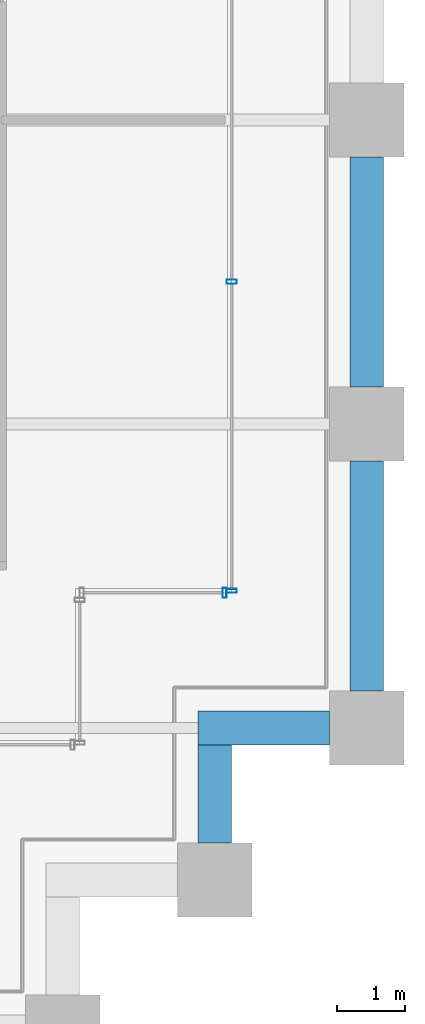
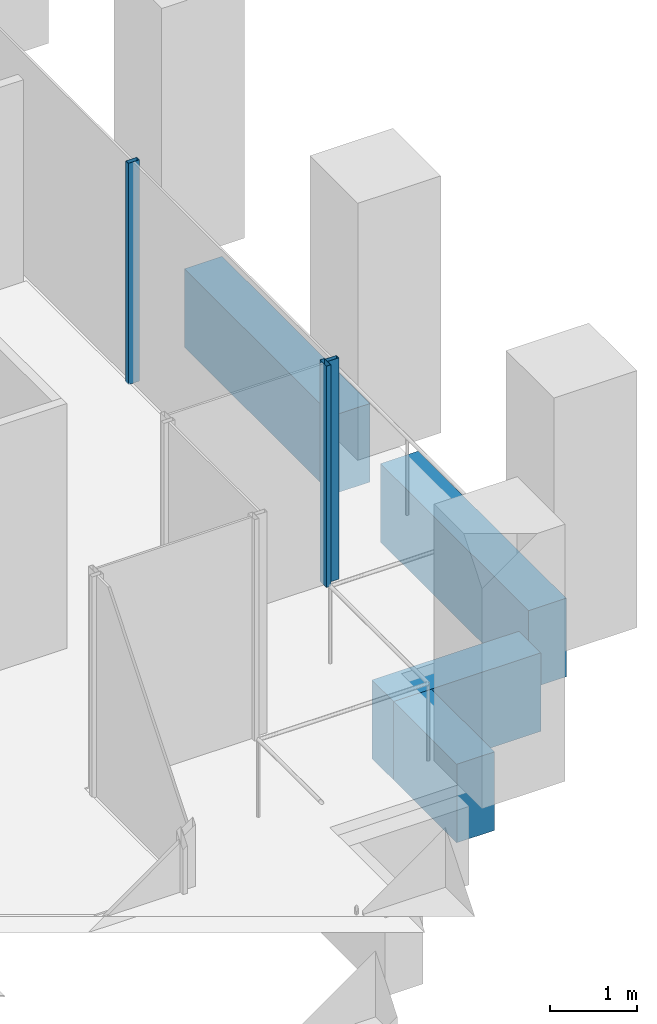
# One storey, part 46 of 56: 4 beams, 3 members, 2 elements without a shape of their own.
"""IFC4 building model written with IfcOpenShell, lengths in metres."""

import ifcopenshell
import ifcopenshell.guid

model = None  # the IFC model being written
_history = None  # IfcOwnerHistory: only IFC2X3 demands one
_inside = {}  # id of a spatial element -> (the spatial element, [elements in it])
_under = {}  # id of a project, library or spatial element -> (it, [spatial elements below it])
_declared = {}  # id of a project -> (the project, [libraries it declares])
_typed = {}  # id of a type object -> (the type object, [elements of that type])
_made_of = {}  # id of a material, layer set ... -> (it, [elements and type objects made of it])


def new_model(schema):
    """Start an empty IFC model of exactly this schema.

    Asked for "IFC4X3", IfcOpenShell would pick the latest addendum, in which some entities
    have other attributes; the version numbers below select the first issue.
    IFC2X3 requires an IfcOwnerHistory on every rooted entity: one is made here for all.
    """
    global model, _history
    if schema == "IFC4X3":
        model = ifcopenshell.file(schema_version=(4, 3, 0, 0))
    else:
        model = ifcopenshell.file(schema=schema)
    _inside.clear()
    _under.clear()
    _declared.clear()
    _typed.clear()
    _made_of.clear()
    _history = None
    if model.schema == "IFC2X3":
        org = make("IfcOrganization", Name="unknown")
        user = make(
            "IfcPersonAndOrganization",
            ThePerson=make("IfcPerson", FamilyName="unknown"),
            TheOrganization=org,
        )
        app = make(
            "IfcApplication",
            ApplicationDeveloper=org,
            Version="unknown",
            ApplicationFullName="unknown",
            ApplicationIdentifier="unknown",
        )
        _history = make(
            "IfcOwnerHistory",
            OwningUser=user,
            OwningApplication=app,
            ChangeAction="ADDED",
            CreationDate=0,
        )
    return model


def make(cls, **values):
    """One entity of the class cls with the attributes given. An attribute that is None is left unset."""
    return model.create_entity(
        cls, **{name: value for name, value in values.items() if value is not None}
    )


def rooted(cls, **values):
    """An entity with a GlobalId (a new one), such as an element, a storey or a relation."""
    return make(cls, GlobalId=ifcopenshell.guid.new(), OwnerHistory=_history, **values)


def si_unit(unit_type, name, prefix=None):
    """IfcSIUnit, for example si_unit("LENGTHUNIT", "METRE", prefix="MILLI")."""
    return make("IfcSIUnit", UnitType=unit_type, Prefix=prefix, Name=name)


def assignment(units):
    """IfcUnitAssignment: the units of a project."""
    return None if units is None else make("IfcUnitAssignment", Units=units)


def point(xyz):
    """IfcCartesianPoint."""
    return None if xyz is None else make("IfcCartesianPoint", Coordinates=xyz)


def direction(xyz):
    """IfcDirection."""
    return None if xyz is None else make("IfcDirection", DirectionRatios=xyz)


def frame(location, z_axis=None, x_axis=None):
    """IfcAxis2Placement3D, a coordinate frame: its origin and axes. An axis left out is left unset."""
    return make(
        "IfcAxis2Placement3D",
        Location=point(location),
        Axis=direction(z_axis),
        RefDirection=direction(x_axis),
    )


def frame_2d(location, x_axis=None):
    """IfcAxis2Placement2D, a coordinate frame in the plane: its origin and x axis."""
    return make(
        "IfcAxis2Placement2D", Location=point(location), RefDirection=direction(x_axis)
    )


def origin():
    """The frame at (0, 0, 0) with its axes left unset."""
    return frame((0.0, 0.0, 0.0))


def origin_2d():
    """The frame at (0, 0) in the plane with its x axis left unset."""
    return frame_2d((0.0, 0.0))


def place(relative_to, where):
    """IfcLocalPlacement: puts the frame where relative to a parent placement (None: the world)."""
    return make(
        "IfcLocalPlacement", PlacementRelTo=relative_to, RelativePlacement=where
    )


def context(
    kind, dimensions, precision=None, world=None, true_north=None, identifier=None
):
    """IfcGeometricRepresentationContext, for example the 3D "Model" context."""
    return make(
        "IfcGeometricRepresentationContext",
        ContextIdentifier=identifier,
        ContextType=kind,
        CoordinateSpaceDimension=dimensions,
        Precision=precision,
        WorldCoordinateSystem=world,
        TrueNorth=true_north,
    )


def subcontext(parent, identifier, kind, view, scale=None):
    """IfcGeometricRepresentationSubContext, for example "Body" below "Model"."""
    return make(
        "IfcGeometricRepresentationSubContext",
        ContextIdentifier=identifier,
        ContextType=kind,
        ParentContext=parent,
        TargetScale=scale,
        TargetView=view,
    )


def project(units=None, contexts=None):
    """IfcProject with its units and contexts."""
    return rooted(
        "IfcProject",
        Name="project",
        RepresentationContexts=contexts,
        UnitsInContext=assignment(units),
    )


def spatial(cls, under=None, at=None, **own):
    """A site, building, storey or space (cls), placed at a placement, below another one or the project."""
    s = rooted(cls, ObjectPlacement=at, **own)
    if under is not None:
        _under.setdefault(under.id(), (under, []))[1].append(s)
    return s


def profile(cls, at=None, kind="AREA", **sizes):
    """A parametric profile (cls). Its sizes go by their IFC names, for example OverallWidth=200.0."""
    return make(cls, ProfileType=kind, Position=at, **sizes)


def rectangle(**sizes):
    """IfcRectangleProfileDef."""
    return profile("IfcRectangleProfileDef", **sizes)


def hollow_rectangle(**sizes):
    """IfcRectangleHollowProfileDef."""
    return profile("IfcRectangleHollowProfileDef", **sizes)


def extrude(swept, where, along, depth):
    """IfcExtrudedAreaSolid: the profile swept, set in the frame where, extruded along a direction by depth."""
    return make(
        "IfcExtrudedAreaSolid",
        SweptArea=swept,
        Position=where,
        ExtrudedDirection=direction(along),
        Depth=depth,
    )


def shape(context_of_items, identifier, shape_type, items):
    """IfcShapeRepresentation: the items that make up one representation, for example the "Body"."""
    return make(
        "IfcShapeRepresentation",
        ContextOfItems=context_of_items,
        RepresentationIdentifier=identifier,
        RepresentationType=shape_type,
        Items=items,
    )


def material(Name=None, Category=None):
    """IfcMaterial."""
    return make("IfcMaterial", Name=Name, Category=Category)


def material_profile(
    of_material, cross_section, Name=None, Category=None, Priority=None
):
    """IfcMaterialProfile: a cross section and its material."""
    return make(
        "IfcMaterialProfile",
        Name=Name,
        Material=of_material,
        Profile=cross_section,
        Priority=Priority,
        Category=Category,
    )


def profile_set(profiles, Name=None, composite=None):
    """IfcMaterialProfileSet."""
    return make(
        "IfcMaterialProfileSet",
        Name=Name,
        MaterialProfiles=profiles,
        CompositeProfile=composite,
    )


def made_of(thing, what):
    """Note that an element or type object is made of a material, layer set ...; save() writes the relation."""
    if what is not None:
        _made_of.setdefault(what.id(), (what, []))[1].append(thing)
    return thing


def type_object(cls, material=None, **own):
    """A type object (cls), such as IfcWallType, which elements share."""
    return made_of(rooted(cls, **own), material)


def element(
    cls,
    number,
    at=None,
    inside=None,
    cuts=None,
    type_object=None,
    material=None,
    context=None,
    identifier="Body",
    shape_type=None,
    held_by="IfcProductDefinitionShape",
    body=None,
    shapes=None,
    **own,
):
    """One element of the class cls, such as IfcWall. Its Tag is "e" and its number.

    at: its placement. inside: the storey or other place that contains it. cuts: it is an
    opening in that element (IfcRelVoidsElement). A single representation is given by context,
    identifier, shape_type and body (its items); several are given by shapes. held_by: the class
    of the entity that holds the representations. save() writes the other relations.
    """
    e = rooted(cls, Tag="e%d" % number, ObjectPlacement=at, **own)
    if body is not None:
        shapes = [shape(context, identifier, shape_type, body)]
    if shapes is not None:
        e.Representation = make(held_by, Representations=shapes)
    if inside is not None:
        _inside.setdefault(inside.id(), (inside, []))[1].append(e)
    if cuts is not None:
        rooted(
            "IfcRelVoidsElement", RelatingBuildingElement=cuts, RelatedOpeningElement=e
        )
    if type_object is not None:
        _typed.setdefault(type_object.id(), (type_object, []))[1].append(e)
    return made_of(e, material)


def aggregate(whole, parts):
    """IfcRelAggregates: a whole, such as a stair, and the parts it consists of."""
    return rooted("IfcRelAggregates", RelatingObject=whole, RelatedObjects=parts)


def save(model, path):
    """Write the relations noted so far, then the file.

    IfcRelAggregates (storeys below a building ...), IfcRelContainedInSpatialStructure (elements
    in a storey), IfcRelDefinesByType, IfcRelAssociatesMaterial and IfcRelDeclares: one each for
    every whole, place, type object, material and project.
    """
    for whole, parts in _under.values():
        aggregate(whole, parts)
    for where, things in _inside.values():
        rooted(
            "IfcRelContainedInSpatialStructure",
            RelatedElements=things,
            RelatingStructure=where,
        )
    for kind, things in _typed.values():
        rooted("IfcRelDefinesByType", RelatedObjects=things, RelatingType=kind)
    for what, things in _made_of.values():
        rooted("IfcRelAssociatesMaterial", RelatedObjects=things, RelatingMaterial=what)
    for by, libraries in _declared.values():
        rooted("IfcRelDeclares", RelatingContext=by, RelatedDefinitions=libraries)
    model.write(path)


model = new_model("IFC4")

# Units and contexts
model_context = context("Model", 3, precision=1e-05, world=origin(), true_north=direction((0.0, 1.0)))
body_context = subcontext(model_context, "Body", "Model", "MODEL_VIEW")
ifc_project = project(units=[si_unit("LENGTHUNIT", "METRE"), si_unit("AREAUNIT", "SQUARE_METRE"), si_unit("VOLUMEUNIT", "CUBIC_METRE"), si_unit("PLANEANGLEUNIT", "RADIAN"), si_unit("MASSUNIT", "GRAM", prefix="KILO")], contexts=[model_context])

# Site, building, storey
site_placement = place(None, origin())
site = spatial("IfcSite", under=ifc_project, at=site_placement, CompositionType="ELEMENT")
building_placement = place(site_placement, origin())
building = spatial("IfcBuilding", under=site, at=building_placement, Name="Altepetl Exchange Towers", CompositionType="ELEMENT")
storey_placement = place(building_placement, frame((0.0, 0.0, 72.60009765625)))
storey = spatial("IfcBuildingStorey", under=building, at=storey_placement, Name="L17", CompositionType="ELEMENT", Elevation=72.60009765625)

# Curtain wall, member
ifc_material_1 = material(Name="Aluminium 6063-T6 glazing", Category="aluminium")
curtain_wall_type = type_object("IfcCurtainWallType", Name="Loggia glazing system", PredefinedType="NOTDEFINED", material=ifc_material_1)
curtain_wall_1_placement = place(storey_placement, origin())
curtain_wall_1 = element("IfcCurtainWall", 1, at=curtain_wall_1_placement, inside=storey, type_object=curtain_wall_type, Name="CW1 run", PredefinedType="NOTDEFINED")
ifc_material_2 = material(Name="Aluminium 6063-T6", Category="aluminium")
ifc_material_profile_1 = material_profile(ifc_material_2, hollow_rectangle(XDim=0.06005859375, YDim=0.14990234375, WallThickness=0.0029296875, at=origin_2d()), Name="Mullion 60x150 aluminium")
ifc_profile_set_1 = profile_set([ifc_material_profile_1], Name="Aluminium 6063-T6")
member_type = type_object("IfcMemberType", Name="Mullion 60x150 aluminium", PredefinedType="MULLION", material=ifc_profile_set_1)
member_1_placement = place(storey_placement, frame((123.89501953125, 33.5, 0.0)))
member_1 = element("IfcMember", 2, at=member_1_placement, type_object=member_type, Name="MU1 mullion", PredefinedType="MULLION", context=body_context, shape_type="SweptSolid", body=[
    extrude(hollow_rectangle(XDim=0.06005859375, YDim=0.14990234375, WallThickness=0.0029296875, at=origin_2d()), origin(), (0.0, 0.0, 1.0), 3.099853515625),
])
aggregate(curtain_wall_1, [member_1])

# Curtain wall, members
curtain_wall_2_placement = place(storey_placement, origin())
curtain_wall_2 = element("IfcCurtainWall", 3, at=curtain_wall_2_placement, inside=storey, type_object=curtain_wall_type, Name="CW1 run", PredefinedType="NOTDEFINED")
member_2_placement = place(storey_placement, frame((124.0, 33.530029296875, 0.0), z_axis=(0.0, 0.0, 1.0), x_axis=(0.0, 1.0, 0.0)))
member_2 = element("IfcMember", 4, at=member_2_placement, type_object=member_type, Name="MU1 mullion", PredefinedType="MULLION", context=body_context, shape_type="SweptSolid", body=[
    extrude(hollow_rectangle(XDim=0.06005859375, YDim=0.14990234375, WallThickness=0.0029296875, at=origin_2d()), origin(), (0.0, 0.0, 1.0), 3.099853515625),
])
member_3_placement = place(storey_placement, frame((124.0, 38.106201171875, 0.0), z_axis=(0.0, 0.0, 1.0), x_axis=(0.0, 1.0, 0.0)))
member_3 = element("IfcMember", 5, at=member_3_placement, type_object=member_type, Name="MU1 mullion", PredefinedType="MULLION", context=body_context, shape_type="SweptSolid", body=[
    extrude(hollow_rectangle(XDim=0.06005859375, YDim=0.14990234375, WallThickness=0.0029296875, at=origin_2d()), origin(), (0.0, 0.0, 1.0), 3.099853515625),
])
aggregate(curtain_wall_2, [member_2, member_3])

# Beams
ifc_material_3 = material(Name="Concrete C50/60 precast with cantera blanca facing", Category="concrete")
ifc_material_profile_2 = material_profile(ifc_material_3, rectangle(XDim=0.5, YDim=1.10009765625, at=origin_2d()), Name="500 x 1100")
ifc_profile_set_2 = profile_set([ifc_material_profile_2], Name="Concrete C50/60 precast with cantera blanca facing")
beam_type = type_object("IfcBeamType", Name="Spandrel beam 500x1100 cantera blanca", PredefinedType="SPANDREL", material=ifc_profile_set_2)
beam_1_placement = place(storey_placement, frame((123.75, 29.800048828125, -0.7001953125), z_axis=(0.0, 1.0, 0.0), x_axis=(-1.0, 0.0, 0.0)))
element("IfcBeam", 6, at=beam_1_placement, inside=storey, type_object=beam_type, Name="sp:B:L17:007", PredefinedType="SPANDREL", context=body_context, shape_type="SweptSolid", body=[
    extrude(rectangle(XDim=0.5, YDim=1.10009765625, at=origin_2d()), origin(), (0.0, 0.0, 1.0), 1.449951171875),
])
beam_2_placement = place(storey_placement, frame((123.5, 31.5, -0.7001953125), z_axis=(1.0, 0.0, 0.0), x_axis=(0.0, 1.0, 0.0)))
element("IfcBeam", 7, at=beam_2_placement, inside=storey, type_object=beam_type, Name="sp:B:L17:008", PredefinedType="SPANDREL", context=body_context, shape_type="SweptSolid", body=[
    extrude(rectangle(XDim=0.5, YDim=1.10009765625, at=origin_2d()), origin(), (0.0, 0.0, 1.0), 1.949951171875),
])
for number, where, z_axis, x_axis, name in (
    (8, (126.0, 32.050048828125, -0.7001953125), (0.0, 1.0, 0.0), (-1.0, 0.0, 0.0), "sp:B:L17:009"),
    (9, (126.0, 36.550048828125, -0.7001953125), (0.0, 1.0, 0.0), (-1.0, 0.0, 0.0), "sp:B:L17:010"),
):
    element("IfcBeam", number, at=place(storey_placement, frame(where, z_axis=z_axis, x_axis=x_axis)), inside=storey, type_object=beam_type, Name=name, PredefinedType="SPANDREL", context=body_context, shape_type="SweptSolid", body=[
        extrude(rectangle(XDim=0.5, YDim=1.10009765625, at=origin_2d()), origin(), (0.0, 0.0, 1.0), 3.39990234375),
    ])

save(model, "model.ifc")
